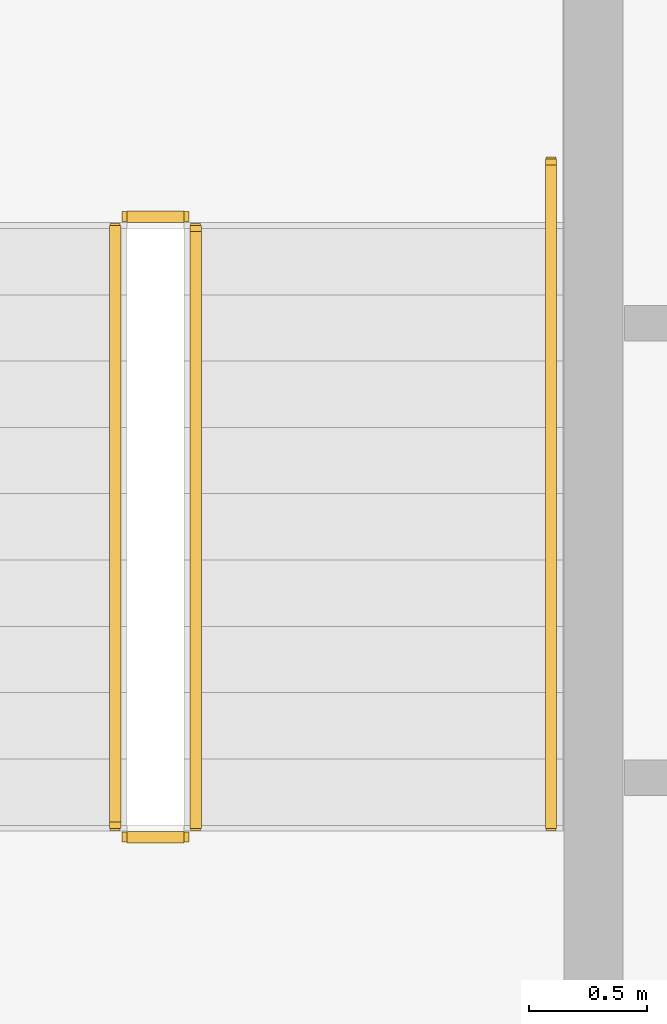
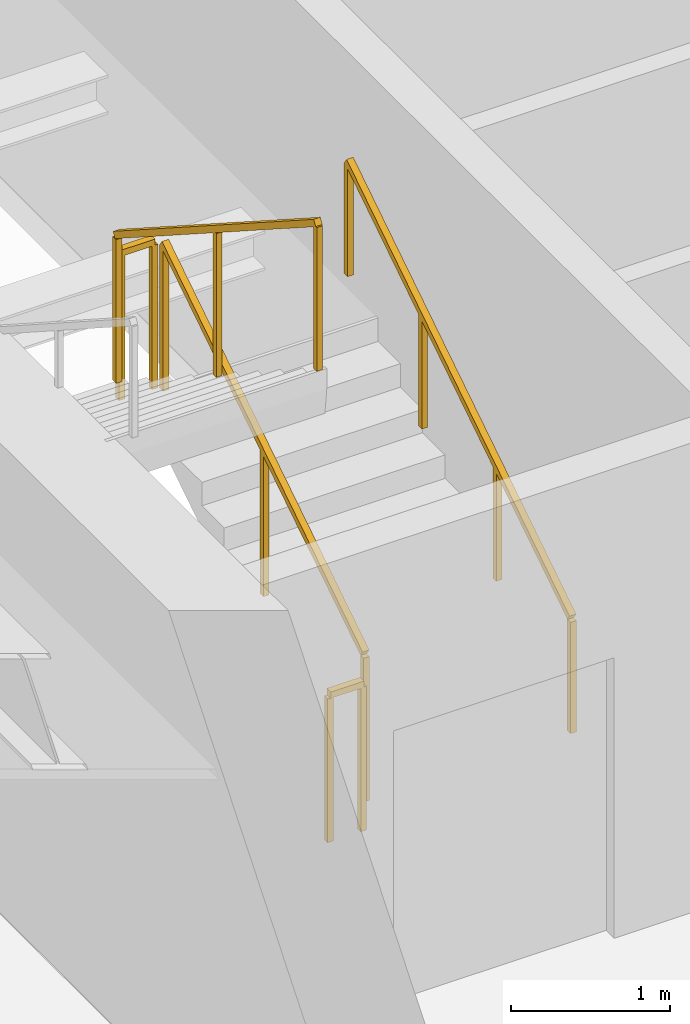
# One storey, part 25 of 28: 5 railings.
"""IFC4 building model written with IfcOpenShell, lengths in metres."""

from ifc_helpers import new_model, si_unit, direction, frame, origin, origin_2d, place, context, subcontext, project, spatial, rectangle, extrude, material, type_object, element, save


model = new_model("IFC4")

# Units and contexts
model_context = context("Model", 3, precision=1e-05, world=origin(), true_north=direction((0.0, 1.0)))
body_context = subcontext(model_context, "Body", "Model", "MODEL_VIEW")
ifc_project = project(units=[si_unit("LENGTHUNIT", "METRE"), si_unit("AREAUNIT", "SQUARE_METRE"), si_unit("VOLUMEUNIT", "CUBIC_METRE"), si_unit("PLANEANGLEUNIT", "RADIAN"), si_unit("MASSUNIT", "GRAM", prefix="KILO")], contexts=[model_context])

# Site, building, storey
site_placement = place(None, origin())
site = spatial("IfcSite", under=ifc_project, at=site_placement, CompositionType="ELEMENT")
building_placement = place(site_placement, origin())
building = spatial("IfcBuilding", under=site, at=building_placement, Name="Sumidabori Civic Tower", CompositionType="ELEMENT")
storey_placement = place(building_placement, frame((0.0, 0.0, 171.199951171875)))
storey = spatial("IfcBuildingStorey", under=building, at=storey_placement, Name="L44", CompositionType="ELEMENT", Elevation=171.199951171875)

# Railings
ifc_material_1 = material(Name="Stainless Steel Hairline Finish", Category="steel")
railing_type_1 = type_object("IfcRailingType", Name="RL-HANDRAIL", PredefinedType="HANDRAIL", material=ifc_material_1)
railing_1_placement = place(storey_placement, frame((-11.949951171875, 16.0, 0.179931640625)))
element("IfcRailing", 1, at=railing_1_placement, inside=storey, type_object=railing_type_1, Name="L44 ST-1 stair handrail 1", PredefinedType="HANDRAIL", context=body_context, shape_type="SweptSolid", body=[
    extrude(rectangle(XDim=0.048095703125, YDim=0.048095703125, at=origin_2d()), frame((0.0, 0.0, 0.8759765625), z_axis=(0.0, 0.84064222762, 0.54159084662), x_axis=(-1.0, 0.0, 0.0)), (0.0, 0.0, 1.0), 3.330810546875),
    extrude(rectangle(XDim=0.0419921875, YDim=0.0419921875, at=origin_2d()), origin(), (0.0, 0.0, 1.0), 0.851806640625),
    extrude(rectangle(XDim=0.0419921875, YDim=0.0419921875, at=origin_2d()), frame((0.0, 0.933349609375, 0.601318359375)), (0.0, 0.0, 1.0), 0.851806640625),
    extrude(rectangle(XDim=0.0419921875, YDim=0.0419921875, at=origin_2d()), frame((0.0, 1.86669921875, 1.20263671875)), (0.0, 0.0, 1.0), 0.851806640625),
    extrude(rectangle(XDim=0.0419921875, YDim=0.0419921875, at=origin_2d()), frame((0.0, 2.800048828125, 1.803955078125)), (0.0, 0.0, 1.0), 0.851806640625),
])
ifc_material_2 = material(Name="Steel SN490", Category="steel")
railing_type_2 = type_object("IfcRailingType", Name="RL-STAIR-GUARD", PredefinedType="GUARDRAIL", material=ifc_material_2)
railing_2_placement = place(storey_placement, frame((-13.449951171875, 16.0, 0.179931640625)))
element("IfcRailing", 2, at=railing_2_placement, inside=storey, type_object=railing_type_2, Name="L44 ST-1 stair guard 1", PredefinedType="GUARDRAIL", context=body_context, shape_type="SweptSolid", body=[
    extrude(rectangle(XDim=0.048095703125, YDim=0.048095703125, at=origin_2d()), frame((0.0, 0.0, 1.1259765625), z_axis=(0.0, 0.841162588446, 0.540782303519), x_axis=(-1.0, 0.0, 0.0)), (0.0, 0.0, 1.0), 2.995849609375),
    extrude(rectangle(XDim=0.0419921875, YDim=0.0419921875, at=origin_2d()), origin(), (0.0, 0.0, 1.0), 1.101806640625),
    extrude(rectangle(XDim=0.0419921875, YDim=0.0419921875, at=origin_2d()), frame((0.0, 1.260009765625, 0.81005859375)), (0.0, 0.0, 1.0), 1.101806640625),
    extrude(rectangle(XDim=0.0419921875, YDim=0.0419921875, at=origin_2d()), frame((0.0, 2.52001953125, 1.6201171875)), (0.0, 0.0, 1.0), 1.101806640625),
])
railing_3_placement = place(storey_placement, frame((-13.5, 18.570068359375, 1.800048828125)))
element("IfcRailing", 3, at=railing_3_placement, inside=storey, type_object=railing_type_2, Name="L44 ST-1 stair guard 2", PredefinedType="GUARDRAIL", context=body_context, shape_type="SweptSolid", body=[
    extrude(rectangle(XDim=0.048095703125, YDim=0.048095703125, at=origin_2d()), frame((0.0, 0.0, 1.1259765625), z_axis=(-1.0, 0.0, 0.0), x_axis=(0.0, -1.0, 0.0)), (0.0, 0.0, 1.0), 0.239990234375),
    extrude(rectangle(XDim=0.0419921875, YDim=0.0419921875, at=origin_2d()), origin(), (0.0, 0.0, 1.0), 1.101806640625),
    extrude(rectangle(XDim=0.0419921875, YDim=0.0419921875, at=origin_2d()), frame((-0.239990234375, 0.0, 0.0)), (0.0, 0.0, 1.0), 1.101806640625),
])
railing_4_placement = place(storey_placement, frame((-13.7900390625, 18.52001953125, 1.97998046875)))
element("IfcRailing", 4, at=railing_4_placement, inside=storey, type_object=railing_type_2, Name="L44 ST-1 stair guard 3", PredefinedType="GUARDRAIL", context=body_context, shape_type="SweptSolid", body=[
    extrude(rectangle(XDim=0.048095703125, YDim=0.048095703125, at=origin_2d()), frame((0.0, 0.0, 1.1259765625), z_axis=(0.0, -0.841162588446, 0.540782303519), x_axis=(1.0, 0.0, 0.0)), (0.0, 0.0, 1.0), 2.995849609375),
    extrude(rectangle(XDim=0.0419921875, YDim=0.0419921875, at=origin_2d()), origin(), (0.0, 0.0, 1.0), 1.101806640625),
    extrude(rectangle(XDim=0.0419921875, YDim=0.0419921875, at=origin_2d()), frame((0.0, -1.260009765625, 0.81005859375)), (0.0, 0.0, 1.0), 1.101806640625),
    extrude(rectangle(XDim=0.0419921875, YDim=0.0419921875, at=origin_2d()), frame((0.0, -2.52001953125, 1.6201171875)), (0.0, 0.0, 1.0), 1.101806640625),
])
railing_5_placement = place(storey_placement, frame((-13.5, 15.949951171875, 0.0)))
element("IfcRailing", 5, at=railing_5_placement, inside=storey, type_object=railing_type_2, Name="L44 ST-1 stair guard 4", PredefinedType="GUARDRAIL", context=body_context, shape_type="SweptSolid", body=[
    extrude(rectangle(XDim=0.048095703125, YDim=0.048095703125, at=origin_2d()), frame((0.0, 0.0, 1.1259765625), z_axis=(-1.0, 0.0, 0.0), x_axis=(0.0, -1.0, 0.0)), (0.0, 0.0, 1.0), 0.239990234375),
    extrude(rectangle(XDim=0.0419921875, YDim=0.0419921875, at=origin_2d()), origin(), (0.0, 0.0, 1.0), 1.101806640625),
    extrude(rectangle(XDim=0.0419921875, YDim=0.0419921875, at=origin_2d()), frame((-0.239990234375, 0.0, 0.0)), (0.0, 0.0, 1.0), 1.101806640625),
])

save(model, "model.ifc")
